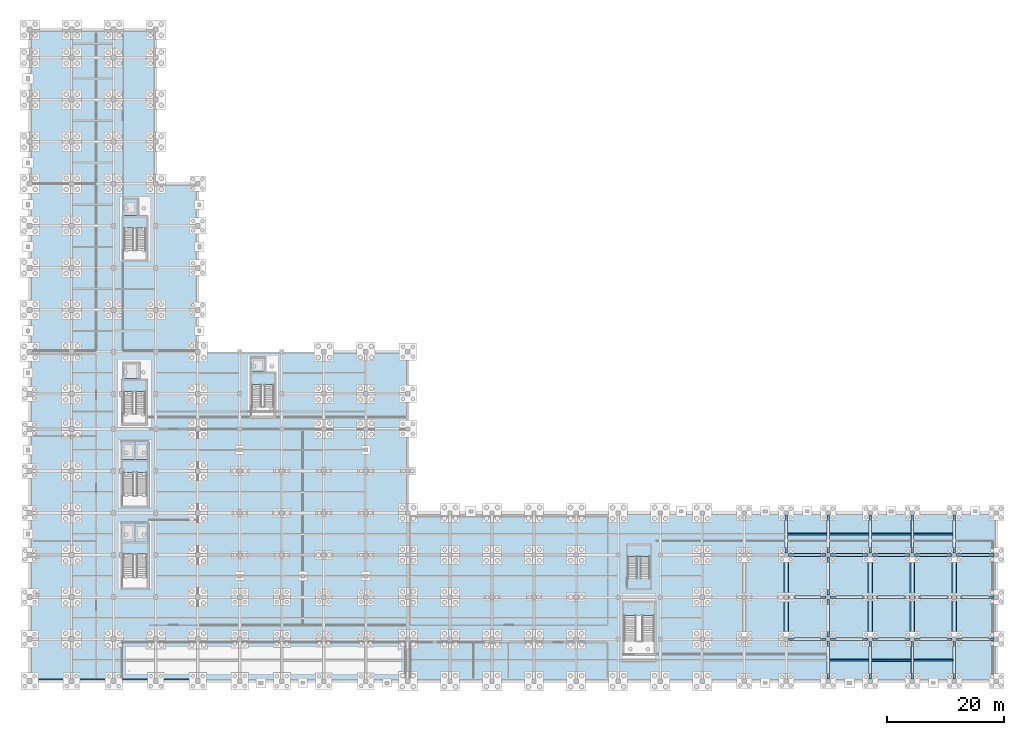
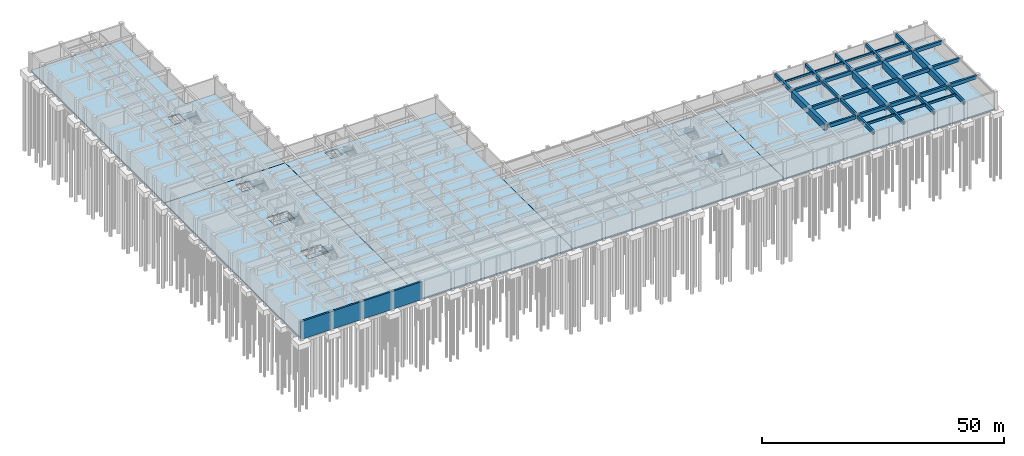
# One storey, part 14 of 28: 37 beams, 17 slabs, 1 wall, 7 elements without a shape of their own.
"""IFC4 building model written with IfcOpenShell, lengths in metres."""

from ifc_helpers import new_model, si_unit, direction, frame, frame_2d, origin, origin_2d, place, context, subcontext, project, spatial, polyline, rectangle, outline, extrude, material, layer, layer_set, material_profile, profile_set, type_object, element, aggregate, save


model = new_model("IFC4")

# Units and contexts
model_context = context("Model", 3, precision=1e-05, world=origin(), true_north=direction((0.0, 1.0)))
body_context = subcontext(model_context, "Body", "Model", "MODEL_VIEW")
ifc_project = project(units=[si_unit("LENGTHUNIT", "METRE"), si_unit("AREAUNIT", "SQUARE_METRE"), si_unit("VOLUMEUNIT", "CUBIC_METRE"), si_unit("PLANEANGLEUNIT", "RADIAN"), si_unit("MASSUNIT", "GRAM", prefix="KILO")], contexts=[model_context])

# Site, building, storey
site_placement = place(None, origin())
site = spatial("IfcSite", under=ifc_project, at=site_placement, CompositionType="ELEMENT")
building_placement = place(site_placement, origin())
building = spatial("IfcBuilding", under=site, at=building_placement, Name="Alvorim Cloister Faculty of Sciences", CompositionType="ELEMENT")
storey_placement = place(building_placement, frame((0.0, 0.0, -4.5)))
storey = spatial("IfcBuildingStorey", under=building, at=storey_placement, Name="B01", CompositionType="ELEMENT", Elevation=-4.5)

# Beams
ifc_material_1 = material(Name="Concrete C40", Category="concrete")
ifc_material_profile_1 = material_profile(ifc_material_1, rectangle(XDim=0.260009765625, YDim=0.5, at=origin_2d()), Name="RC40-JST-260x500")
ifc_profile_set_1 = profile_set([ifc_material_profile_1], Name="Concrete C40")
beam_type_1 = type_object("IfcBeamType", Name="BM-JST-RC-260x500", PredefinedType="JOIST", material=ifc_profile_set_1)
for number, where, z_axis, x_axis, name in (
    (1, (129.824951171875, 25.199951171875, 3.989990234375), (1.0, 0.0, 0.0), (0.0, 1.0, 0.0), "B01 Secondary Floor Joist BM-0584"),
    (2, (137.02490234375, 3.60009765625, 3.989990234375), (1.0, 0.0, 0.0), (0.0, 1.0, 0.0), "B01 Secondary Floor Joist BM-0585"),
    (3, (144.22509765625, 25.199951171875, 3.989990234375), (1.0, 0.0, 0.0), (0.0, 1.0, 0.0), "B01 Secondary Floor Joist BM-0588"),
    (4, (151.425048828125, 3.60009765625, 3.989990234375), (1.0, 0.0, 0.0), (0.0, 1.0, 0.0), "B01 Secondary Floor Joist BM-0589"),
):
    element("IfcBeam", number, at=place(storey_placement, frame(where, z_axis=z_axis, x_axis=x_axis)), inside=storey, type_object=beam_type_1, Name=name, PredefinedType="JOIST", context=body_context, shape_type="SweptSolid", body=[
        extrude(rectangle(XDim=0.260009765625, YDim=0.5, at=origin_2d()), origin(), (0.0, 0.0, 1.0), 6.75),
    ])
ifc_material_profile_2 = material_profile(ifc_material_1, rectangle(XDim=0.300048828125, YDim=0.550048828125, at=origin_2d()), Name="RC40-JST-300x550")
ifc_profile_set_2 = profile_set([ifc_material_profile_2], Name="Concrete C40")
beam_type_2 = type_object("IfcBeamType", Name="BM-JST-RC-300x550", PredefinedType="JOIST", material=ifc_profile_set_2)
for number, where, z_axis, x_axis, name in (
    (5, (137.02490234375, 25.199951171875, 3.965087890625), (1.0, 0.0, 0.0), (0.0, 1.0, 0.0), "B01 Secondary Floor Joist BM-0586"),
    (6, (144.22509765625, 3.60009765625, 3.965087890625), (1.0, 0.0, 0.0), (0.0, 1.0, 0.0), "B01 Secondary Floor Joist BM-0587"),
    (7, (151.425048828125, 25.199951171875, 3.965087890625), (1.0, 0.0, 0.0), (0.0, 1.0, 0.0), "B01 Secondary Floor Joist BM-0590"),
):
    element("IfcBeam", number, at=place(storey_placement, frame(where, z_axis=z_axis, x_axis=x_axis)), inside=storey, type_object=beam_type_2, Name=name, PredefinedType="JOIST", context=body_context, shape_type="SweptSolid", body=[
        extrude(rectangle(XDim=0.300048828125, YDim=0.550048828125, at=origin_2d()), origin(), (0.0, 0.0, 1.0), 6.75),
    ])
ifc_material_profile_3 = material_profile(ifc_material_1, rectangle(XDim=0.449951171875, YDim=0.85009765625, at=origin_2d()), Name="RC40-BM-450x850")
ifc_profile_set_3 = profile_set([ifc_material_profile_3], Name="Concrete C40")
beam_type_3 = type_object("IfcBeamType", Name="BM-RC-450x850", PredefinedType="BEAM", material=ifc_profile_set_3)
for number, where, z_axis, x_axis, name in (
    (8, (129.97509765625, 7.199951171875, 3.81494140625), (1.0, 0.0, 0.0), (0.0, 1.0, 0.0), "B01 Primary Beam BM-0251"),
    (9, (137.175048828125, 7.199951171875, 3.81494140625), (1.0, 0.0, 0.0), (0.0, 1.0, 0.0), "B01 Primary Beam BM-0252"),
    (10, (144.375, 7.199951171875, 3.81494140625), (1.0, 0.0, 0.0), (0.0, 1.0, 0.0), "B01 Primary Beam BM-0253"),
    (11, (151.574951171875, 7.199951171875, 3.81494140625), (1.0, 0.0, 0.0), (0.0, 1.0, 0.0), "B01 Primary Beam BM-0254"),
):
    element("IfcBeam", number, at=place(storey_placement, frame(where, z_axis=z_axis, x_axis=x_axis)), inside=storey, type_object=beam_type_3, Name=name, PredefinedType="BEAM", context=body_context, shape_type="SweptSolid", body=[
        extrude(rectangle(XDim=0.449951171875, YDim=0.85009765625, at=origin_2d()), origin(), (0.0, 0.0, 1.0), 6.449951171875),
    ])
beam_1_placement = place(storey_placement, frame((158.77490234375, 7.199951171875, 3.81494140625), z_axis=(1.0, 0.0, 0.0), x_axis=(0.0, 1.0, 0.0)))
element("IfcBeam", 12, at=beam_1_placement, inside=storey, type_object=beam_type_3, Name="B01 Primary Beam BM-0255", PredefinedType="BEAM", context=body_context, shape_type="SweptSolid", body=[
    extrude(rectangle(XDim=0.449951171875, YDim=0.85009765625, at=origin_2d()), origin(), (0.0, 0.0, 1.0), 6.4501953125),
])
for number, where, z_axis, x_axis, name in (
    (13, (129.97509765625, 14.39990234375, 3.81494140625), (1.0, 0.0, 0.0), (0.0, 1.0, 0.0), "B01 Primary Beam BM-0274"),
    (14, (137.175048828125, 14.39990234375, 3.81494140625), (1.0, 0.0, 0.0), (0.0, 1.0, 0.0), "B01 Primary Beam BM-0275"),
    (15, (144.375, 14.39990234375, 3.81494140625), (1.0, 0.0, 0.0), (0.0, 1.0, 0.0), "B01 Primary Beam BM-0276"),
    (16, (151.574951171875, 14.39990234375, 3.81494140625), (1.0, 0.0, 0.0), (0.0, 1.0, 0.0), "B01 Primary Beam BM-0277"),
):
    element("IfcBeam", number, at=place(storey_placement, frame(where, z_axis=z_axis, x_axis=x_axis)), inside=storey, type_object=beam_type_3, Name=name, PredefinedType="BEAM", context=body_context, shape_type="SweptSolid", body=[
        extrude(rectangle(XDim=0.449951171875, YDim=0.85009765625, at=origin_2d()), origin(), (0.0, 0.0, 1.0), 6.449951171875),
    ])
beam_2_placement = place(storey_placement, frame((158.77490234375, 14.39990234375, 3.81494140625), z_axis=(1.0, 0.0, 0.0), x_axis=(0.0, 1.0, 0.0)))
element("IfcBeam", 17, at=beam_2_placement, inside=storey, type_object=beam_type_3, Name="B01 Primary Beam BM-0278", PredefinedType="BEAM", context=body_context, shape_type="SweptSolid", body=[
    extrude(rectangle(XDim=0.449951171875, YDim=0.85009765625, at=origin_2d()), origin(), (0.0, 0.0, 1.0), 6.4501953125),
])
for number, where, z_axis, x_axis, name in (
    (18, (129.97509765625, 21.60009765625, 3.81494140625), (1.0, 0.0, 0.0), (0.0, 1.0, 0.0), "B01 Primary Beam BM-0295"),
    (19, (137.175048828125, 21.60009765625, 3.81494140625), (1.0, 0.0, 0.0), (0.0, 1.0, 0.0), "B01 Primary Beam BM-0296"),
    (20, (144.375, 21.60009765625, 3.81494140625), (1.0, 0.0, 0.0), (0.0, 1.0, 0.0), "B01 Primary Beam BM-0297"),
    (21, (151.574951171875, 21.60009765625, 3.81494140625), (1.0, 0.0, 0.0), (0.0, 1.0, 0.0), "B01 Primary Beam BM-0298"),
):
    element("IfcBeam", number, at=place(storey_placement, frame(where, z_axis=z_axis, x_axis=x_axis)), inside=storey, type_object=beam_type_3, Name=name, PredefinedType="BEAM", context=body_context, shape_type="SweptSolid", body=[
        extrude(rectangle(XDim=0.449951171875, YDim=0.85009765625, at=origin_2d()), origin(), (0.0, 0.0, 1.0), 6.449951171875),
    ])
beam_3_placement = place(storey_placement, frame((158.77490234375, 21.60009765625, 3.81494140625), z_axis=(1.0, 0.0, 0.0), x_axis=(0.0, 1.0, 0.0)))
element("IfcBeam", 22, at=beam_3_placement, inside=storey, type_object=beam_type_3, Name="B01 Primary Beam BM-0299", PredefinedType="BEAM", context=body_context, shape_type="SweptSolid", body=[
    extrude(rectangle(XDim=0.449951171875, YDim=0.85009765625, at=origin_2d()), origin(), (0.0, 0.0, 1.0), 6.4501953125),
])
for number, where, z_axis, x_axis, name in (
    (23, (129.60009765625, 21.97509765625, 3.81494140625), (0.0, 1.0, 0.0), (-1.0, 0.0, 0.0), "B01 Primary Girder BM-0479"),
    (24, (136.800048828125, 0.375, 3.81494140625), (0.0, 1.0, 0.0), (-1.0, 0.0, 0.0), "B01 Primary Girder BM-0480"),
    (25, (136.800048828125, 7.574951171875, 3.81494140625), (0.0, 1.0, 0.0), (-1.0, 0.0, 0.0), "B01 Primary Girder BM-0481"),
):
    element("IfcBeam", number, at=place(storey_placement, frame(where, z_axis=z_axis, x_axis=x_axis)), inside=storey, type_object=beam_type_3, Name=name, PredefinedType="BEAM", context=body_context, shape_type="SweptSolid", body=[
        extrude(rectangle(XDim=0.449951171875, YDim=0.85009765625, at=origin_2d()), origin(), (0.0, 0.0, 1.0), 6.449951171875),
    ])
beam_4_placement = place(storey_placement, frame((136.800048828125, 14.77490234375, 3.81494140625), z_axis=(0.0, 1.0, 0.0), x_axis=(-1.0, 0.0, 0.0)))
element("IfcBeam", 26, at=beam_4_placement, inside=storey, type_object=beam_type_3, Name="B01 Primary Girder BM-0482", PredefinedType="BEAM", context=body_context, shape_type="SweptSolid", body=[
    extrude(rectangle(XDim=0.449951171875, YDim=0.85009765625, at=origin_2d()), origin(), (0.0, 0.0, 1.0), 6.4501953125),
])
for number, where, z_axis, x_axis, name in (
    (27, (136.800048828125, 21.97509765625, 3.81494140625), (0.0, 1.0, 0.0), (-1.0, 0.0, 0.0), "B01 Primary Girder BM-0483"),
    (28, (144.0, 0.375, 3.81494140625), (0.0, 1.0, 0.0), (-1.0, 0.0, 0.0), "B01 Primary Girder BM-0484"),
    (29, (144.0, 21.97509765625, 3.81494140625), (0.0, 1.0, 0.0), (-1.0, 0.0, 0.0), "B01 Primary Girder BM-0485"),
    (30, (151.199951171875, 0.375, 3.81494140625), (0.0, 1.0, 0.0), (-1.0, 0.0, 0.0), "B01 Primary Girder BM-0486"),
    (31, (151.199951171875, 21.97509765625, 3.81494140625), (0.0, 1.0, 0.0), (-1.0, 0.0, 0.0), "B01 Primary Girder BM-0487"),
    (32, (158.39990234375, 0.375, 3.81494140625), (0.0, 1.0, 0.0), (-1.0, 0.0, 0.0), "B01 Primary Girder BM-0488"),
    (33, (158.39990234375, 21.97509765625, 3.81494140625), (0.0, 1.0, 0.0), (-1.0, 0.0, 0.0), "B01 Primary Girder BM-0489"),
):
    element("IfcBeam", number, at=place(storey_placement, frame(where, z_axis=z_axis, x_axis=x_axis)), inside=storey, type_object=beam_type_3, Name=name, PredefinedType="BEAM", context=body_context, shape_type="SweptSolid", body=[
        extrude(rectangle(XDim=0.449951171875, YDim=0.85009765625, at=origin_2d()), origin(), (0.0, 0.0, 1.0), 6.449951171875),
    ])
ifc_material_2 = material(Name="Concrete C45", Category="concrete")
ifc_material_profile_4 = material_profile(ifc_material_2, rectangle(XDim=0.75, YDim=1.64990234375, at=origin_2d()), Name="RC45-TG-750x1650")
ifc_profile_set_4 = profile_set([ifc_material_profile_4], Name="Concrete C45")
beam_type_4 = type_object("IfcBeamType", Name="BM-TG-750x1650", PredefinedType="USERDEFINED", material=ifc_profile_set_4)
for number, where, z_axis, x_axis, name in (
    (34, (129.60009765625, 7.580078125, 3.4150390625), (0.0, 1.0, 0.0), (-1.0, 0.0, 0.0), "B01 Lecture Hall Foundation Transfer Girder BM-0226"),
    (35, (144.0, 7.580078125, 3.4150390625), (0.0, 1.0, 0.0), (-1.0, 0.0, 0.0), "B01 Lecture Hall Foundation Transfer Girder BM-0227"),
    (36, (151.199951171875, 7.580078125, 3.4150390625), (0.0, 1.0, 0.0), (-1.0, 0.0, 0.0), "B01 Lecture Hall Foundation Transfer Girder BM-0228"),
    (37, (158.39990234375, 7.580078125, 3.4150390625), (0.0, 1.0, 0.0), (-1.0, 0.0, 0.0), "B01 Lecture Hall Foundation Transfer Girder BM-0229"),
):
    element("IfcBeam", number, at=place(storey_placement, frame(where, z_axis=z_axis, x_axis=x_axis)), inside=storey, type_object=beam_type_4, Name=name, ObjectType="TRANSFER GIRDER", PredefinedType="USERDEFINED", context=body_context, shape_type="SweptSolid", body=[
        extrude(rectangle(XDim=0.75, YDim=1.64990234375, at=origin_2d()), origin(), (0.0, 0.0, 1.0), 13.639892578125),
    ])

# Slabs
ifc_layer_1 = layer(ifc_material_1, 0.280029296875)
ifc_layer_set_1 = layer_set([ifc_layer_1], Name="Concrete C40")
slab_type_1 = type_object("IfcSlabType", Name="SL-BASE-280", PredefinedType="BASESLAB", material=ifc_layer_set_1)
slab_1_placement = place(storey_placement, frame((0.0, 0.0, -0.280029296875)))
element("IfcSlab", 38, at=slab_1_placement, inside=storey, type_object=slab_type_1, Name="B01 V1 Structural Slab 4", PredefinedType="BASESLAB", context=body_context, shape_type="SweptSolid", body=[
    extrude(outline(polyline([(115.205078125, 0.0048828125), (115.205078125, 28.794921875), (165.594970703125, 28.794921875), (165.594970703125, 0.0048828125), (115.205078125, 0.0048828125)])), origin(), (0.0, 0.0, 1.0), 0.280029296875),
])
slab_2_placement = place(storey_placement, frame((0.0, 0.0, -0.280029296875)))
element("IfcSlab", 39, at=slab_2_placement, inside=storey, type_object=slab_type_1, Name="B01 V2 Structural Slab 5", PredefinedType="BASESLAB", context=body_context, shape_type="SweptSolid", body=[
    extrude(outline(polyline([(28.794921875, 56.405029296875), (0.0048828125, 56.405029296875), (0.0048828125, 111.594970703125), (21.594970703125, 111.594970703125), (21.594970703125, 85.195068359375), (28.794921875, 85.195068359375), (28.794921875, 56.405029296875)]), holes=[polyline([(15.948974609375, 82.7509765625), (15.948974609375, 79.779052734375), (18.65087890625, 79.779052734375), (18.65087890625, 82.7509765625), (15.948974609375, 82.7509765625)])]), origin(), (0.0, 0.0, 1.0), 0.280029296875),
])
ifc_layer_2 = layer(ifc_material_1, 0.300048828125)
ifc_layer_set_2 = layer_set([ifc_layer_2], Name="Concrete C40")
slab_type_2 = type_object("IfcSlabType", Name="SL-BASE-300", PredefinedType="BASESLAB", material=ifc_layer_set_2)
slab_3_placement = place(storey_placement, frame((0.0, 0.0, -0.300048828125)))
element("IfcSlab", 40, at=slab_3_placement, inside=storey, type_object=slab_type_2, Name="B01 V5 Structural Slab 1", PredefinedType="BASESLAB", context=body_context, shape_type="SweptSolid", body=[
    extrude(outline(polyline([(0.0048828125, 0.0048828125), (0.0048828125, 56.39501953125), (28.794921875, 56.39501953125), (28.794921875, 0.0048828125), (0.0048828125, 0.0048828125)]), holes=[polyline([(18.2109375, 27.2509765625), (17.908935546875, 27.2509765625), (15.64892578125, 27.2509765625), (15.64892578125, 23.97900390625), (17.908935546875, 23.97900390625), (18.2109375, 23.97900390625), (20.470947265625, 23.97900390625), (20.470947265625, 27.2509765625), (18.2109375, 27.2509765625)]), polyline([(15.64892578125, 41.2509765625), (15.64892578125, 37.97900390625), (17.908935546875, 37.97900390625), (18.2109375, 37.97900390625), (20.470947265625, 37.97900390625), (20.470947265625, 41.2509765625), (18.2109375, 41.2509765625), (17.908935546875, 41.2509765625), (15.64892578125, 41.2509765625)]), polyline([(15.948974609375, 54.65087890625), (15.948974609375, 51.779052734375), (18.950927734375, 51.779052734375), (18.950927734375, 54.65087890625), (15.948974609375, 54.65087890625)])]), origin(), (0.0, 0.0, 1.0), 0.300048828125),
])
slab_4_placement = place(storey_placement, frame((0.0, 0.0, -0.300048828125)))
element("IfcSlab", 41, at=slab_4_placement, inside=storey, type_object=slab_type_2, Name="B01 V4 Structural Slab 2", PredefinedType="BASESLAB", context=body_context, shape_type="SweptSolid", body=[
    extrude(outline(polyline([(28.804931640625, 0.0048828125), (28.804931640625, 56.39501953125), (64.794921875, 56.39501953125), (64.794921875, 0.0048828125), (28.804931640625, 0.0048828125)]), holes=[polyline([(37.7490234375, 55.551025390625), (37.7490234375, 52.97900390625), (40.450927734375, 52.97900390625), (40.450927734375, 55.551025390625), (37.7490234375, 55.551025390625)])]), origin(), (0.0, 0.0, 1.0), 0.300048828125),
])
slab_5_placement = place(storey_placement, frame((0.0, 0.0, -0.300048828125)))
element("IfcSlab", 42, at=slab_5_placement, inside=storey, type_object=slab_type_2, Name="B01 V3 Structural Slab 3", PredefinedType="BASESLAB", context=body_context, shape_type="SweptSolid", body=[
    extrude(outline(polyline([(64.804931640625, 0.0048828125), (64.804931640625, 28.794921875), (115.195068359375, 28.794921875), (115.195068359375, 0.0048828125), (64.804931640625, 0.0048828125)])), origin(), (0.0, 0.0, 1.0), 0.300048828125),
])
slab_6_placement = place(storey_placement, frame((0.0, 0.0, -1.89990234375)))
element("IfcSlab", 43, at=slab_6_placement, inside=storey, type_object=slab_type_2, Name="Core K1 Lift Pit Base Slab", PredefinedType="BASESLAB", context=body_context, shape_type="SweptSolid", body=[
    extrude(outline(polyline([(15.64990234375, 23.9599609375), (20.469970703125, 23.9599609375), (20.469970703125, 27.25), (15.64990234375, 27.25), (15.64990234375, 23.9599609375)])), origin(), (0.0, 0.0, 1.0), 0.2998046875),
])
slab_7_placement = place(storey_placement, frame((0.0, 0.0, -1.89990234375)))
element("IfcSlab", 44, at=slab_7_placement, inside=storey, type_object=slab_type_2, Name="Core K2 Lift Pit Base Slab", PredefinedType="BASESLAB", context=body_context, shape_type="SweptSolid", body=[
    extrude(outline(polyline([(15.64990234375, 37.9599609375), (20.469970703125, 37.9599609375), (20.469970703125, 41.25), (15.64990234375, 41.25), (15.64990234375, 37.9599609375)])), origin(), (0.0, 0.0, 1.0), 0.2998046875),
])
slab_8_placement = place(storey_placement, frame((0.0, 0.0, -1.89990234375)))
element("IfcSlab", 45, at=slab_8_placement, inside=storey, type_object=slab_type_2, Name="Core K4 Lift Pit Base Slab", PredefinedType="BASESLAB", context=body_context, shape_type="SweptSolid", body=[
    extrude(outline(polyline([(37.75, 52.9599609375), (40.449951171875, 52.9599609375), (40.449951171875, 55.550048828125), (37.75, 55.550048828125), (37.75, 52.9599609375)])), origin(), (0.0, 0.0, 1.0), 0.2998046875),
])
slab_9_placement = place(storey_placement, frame((0.0, 0.0, -1.89990234375)))
element("IfcSlab", 46, at=slab_9_placement, inside=storey, type_object=slab_type_2, Name="Core K5 Lift Pit Base Slab", PredefinedType="BASESLAB", context=body_context, shape_type="SweptSolid", body=[
    extrude(outline(polyline([(15.949951171875, 79.760009765625), (18.64990234375, 79.760009765625), (18.64990234375, 82.75), (15.949951171875, 82.75), (15.949951171875, 79.760009765625)])), origin(), (0.0, 0.0, 1.0), 0.2998046875),
])
slab_10_placement = place(storey_placement, frame((0.0, 0.0, -1.89990234375)))
element("IfcSlab", 47, at=slab_10_placement, inside=storey, type_object=slab_type_2, Name="Core K3 Lift Pit Base Slab", PredefinedType="BASESLAB", context=body_context, shape_type="SweptSolid", body=[
    extrude(outline(polyline([(15.949951171875, 51.760009765625), (18.949951171875, 51.760009765625), (18.949951171875, 54.64990234375), (15.949951171875, 54.64990234375), (15.949951171875, 51.760009765625)])), origin(), (0.0, 0.0, 1.0), 0.2998046875),
])

# Stair, slab
stair_type_1 = type_object("IfcStairType", Name="STR-ST-01-1780x4500", PredefinedType="HALF_TURN_STAIR", material=ifc_material_1)
stair_1_placement = place(storey_placement, origin())
stair_1 = element("IfcStair", 48, at=stair_1_placement, inside=storey, type_object=stair_type_1, Name="B01 Enclosed Smoke-Proof Stair ST-01", PredefinedType="HALF_TURN_STAIR")
ifc_layer_3 = layer(ifc_material_1, 0.199951171875)
ifc_layer_set_3 = layer_set([ifc_layer_3], Name="Concrete C40")
slab_type_3 = type_object("IfcSlabType", Name="SL-LAND-200", PredefinedType="LANDING", material=ifc_layer_set_3)
slab_11_placement = place(storey_placement, frame((0.0, 0.0, 2.050048828125)))
slab_11 = element("IfcSlab", 49, at=slab_11_placement, type_object=slab_type_3, Name="ST-01 landing 1", PredefinedType="LANDING", context=body_context, shape_type="SweptSolid", body=[
    extrude(outline(polyline([(20.239990234375, 21.739990234375), (20.239990234375, 23.719970703125), (15.8798828125, 23.719970703125), (15.8798828125, 21.739990234375), (20.239990234375, 21.739990234375)])), origin(), (0.0, 0.0, 1.0), 0.199951171875),
])
aggregate(stair_1, [slab_11])

stair_type_2 = type_object("IfcStairType", Name="STR-ST-02-1780x4500", PredefinedType="HALF_TURN_STAIR", material=ifc_material_1)
stair_2_placement = place(storey_placement, origin())
stair_2 = element("IfcStair", 50, at=stair_2_placement, inside=storey, type_object=stair_type_2, Name="B01 Enclosed Smoke-Proof Stair ST-02", PredefinedType="HALF_TURN_STAIR")
slab_12_placement = place(storey_placement, frame((0.0, 0.0, 2.050048828125)))
slab_12 = element("IfcSlab", 51, at=slab_12_placement, type_object=slab_type_3, Name="ST-02 landing 1", PredefinedType="LANDING", context=body_context, shape_type="SweptSolid", body=[
    extrude(outline(polyline([(20.239990234375, 35.739990234375), (20.239990234375, 37.719970703125), (15.8798828125, 37.719970703125), (15.8798828125, 35.739990234375), (20.239990234375, 35.739990234375)])), origin(), (0.0, 0.0, 1.0), 0.199951171875),
])
aggregate(stair_2, [slab_12])

stair_type_3 = type_object("IfcStairType", Name="STR-ST-03-1600x4500", PredefinedType="HALF_TURN_STAIR", material=ifc_material_1)
stair_3_placement = place(storey_placement, origin())
stair_3 = element("IfcStair", 52, at=stair_3_placement, inside=storey, type_object=stair_type_3, Name="B01 Enclosed Smoke-Proof Stair ST-03", PredefinedType="HALF_TURN_STAIR")
slab_13_placement = place(storey_placement, frame((0.0, 0.0, 2.050048828125)))
slab_13 = element("IfcSlab", 53, at=slab_13_placement, type_object=slab_type_3, Name="ST-03 landing 1", PredefinedType="LANDING", context=body_context, shape_type="SweptSolid", body=[
    extrude(outline(polyline([(19.93994140625, 49.580078125), (19.93994140625, 51.52001953125), (15.97998046875, 51.52001953125), (15.97998046875, 49.580078125), (19.93994140625, 49.580078125)])), origin(), (0.0, 0.0, 1.0), 0.199951171875),
])
aggregate(stair_3, [slab_13])

stair_type_4 = type_object("IfcStairType", Name="STR-ST-04-1600x4500", PredefinedType="HALF_TURN_STAIR", material=ifc_material_1)
stair_4_placement = place(storey_placement, origin())
stair_4 = element("IfcStair", 54, at=stair_4_placement, inside=storey, type_object=stair_type_4, Name="B01 Enclosed Smoke-Proof Stair ST-04", PredefinedType="HALF_TURN_STAIR")
slab_14_placement = place(storey_placement, frame((0.0, 0.0, 2.050048828125)))
slab_14 = element("IfcSlab", 55, at=slab_14_placement, type_object=slab_type_3, Name="ST-04 landing 1", PredefinedType="LANDING", context=body_context, shape_type="SweptSolid", body=[
    extrude(outline(polyline([(41.93994140625, 50.780029296875), (41.93994140625, 52.719970703125), (37.97998046875, 52.719970703125), (37.97998046875, 50.780029296875), (41.93994140625, 50.780029296875)])), origin(), (0.0, 0.0, 1.0), 0.199951171875),
])
aggregate(stair_4, [slab_14])

stair_type_5 = type_object("IfcStairType", Name="STR-ST-05-1600x4500", PredefinedType="HALF_TURN_STAIR", material=ifc_material_1)
stair_5_placement = place(storey_placement, origin())
stair_5 = element("IfcStair", 56, at=stair_5_placement, inside=storey, type_object=stair_type_5, Name="B01 Enclosed Smoke-Proof Stair ST-05", PredefinedType="HALF_TURN_STAIR")
slab_15_placement = place(storey_placement, frame((0.0, 0.0, 2.050048828125)))
slab_15 = element("IfcSlab", 57, at=slab_15_placement, type_object=slab_type_3, Name="ST-05 landing 1", PredefinedType="LANDING", context=body_context, shape_type="SweptSolid", body=[
    extrude(outline(polyline([(20.0400390625, 77.580078125), (20.0400390625, 79.52001953125), (16.080078125, 79.52001953125), (16.080078125, 77.580078125), (20.0400390625, 77.580078125)])), origin(), (0.0, 0.0, 1.0), 0.199951171875),
])
aggregate(stair_5, [slab_15])

stair_type_6 = type_object("IfcStairType", Name="STR-ST-06-1600x4500", PredefinedType="HALF_TURN_STAIR", material=ifc_material_1)
stair_6_placement = place(storey_placement, origin())
stair_6 = element("IfcStair", 58, at=stair_6_placement, inside=storey, type_object=stair_type_6, Name="B01 Enclosed Smoke-Proof Stair ST-06", PredefinedType="HALF_TURN_STAIR")
slab_16_placement = place(storey_placement, frame((0.0, 0.0, 2.050048828125)))
slab_16 = element("IfcSlab", 59, at=slab_16_placement, type_object=slab_type_3, Name="ST-06 landing 1", PredefinedType="LANDING", context=body_context, shape_type="SweptSolid", body=[
    extrude(outline(polyline([(106.340087890625, 21.3798828125), (106.340087890625, 23.320068359375), (102.3798828125, 23.320068359375), (102.3798828125, 21.3798828125), (106.340087890625, 21.3798828125)])), origin(), (0.0, 0.0, 1.0), 0.199951171875),
])
aggregate(stair_6, [slab_16])

stair_type_7 = type_object("IfcStairType", Name="STR-ST-12-2050x4500", PredefinedType="HALF_TURN_STAIR", material=ifc_material_1)
stair_7_placement = place(storey_placement, origin())
stair_7 = element("IfcStair", 60, at=stair_7_placement, inside=storey, type_object=stair_type_7, Name="B01 Enclosed Smoke-Proof Stair ST-12", PredefinedType="HALF_TURN_STAIR")
slab_17_placement = place(storey_placement, frame((0.0, 0.0, 2.050048828125)))
slab_17 = element("IfcSlab", 61, at=slab_17_placement, type_object=slab_type_3, Name="ST-12 landing 1", PredefinedType="LANDING", context=body_context, shape_type="SweptSolid", body=[
    extrude(outline(polyline([(107.080078125, 11.22998046875), (107.080078125, 13.469970703125), (101.719970703125, 13.469970703125), (101.719970703125, 11.22998046875), (107.080078125, 11.22998046875)])), origin(), (0.0, 0.0, 1.0), 0.199951171875),
])
aggregate(stair_7, [slab_17])

# Wall
ifc_layer_4 = layer(ifc_material_1, 0.39990234375)
ifc_layer_set_4 = layer_set([ifc_layer_4], Name="Concrete C40")
wall_type = type_object("IfcWallType", Name="WL-RET-400", PredefinedType="USERDEFINED", material=ifc_layer_set_4)
wall_placement = place(storey_placement, frame((28.800048828125, 0.199951171875, -0.300048828125), z_axis=(0.0, 0.0, 1.0), x_axis=(-1.0, 0.0, 0.0)))
element("IfcWall", 62, at=wall_placement, inside=storey, type_object=wall_type, Name="B01 Perimeter Retaining Wall WL-RET-0006", ObjectType="RETAINING WALL", PredefinedType="USERDEFINED", context=body_context, shape_type="SweptSolid", body=[
    extrude(rectangle(XDim=28.800048828125, YDim=0.39990234375, at=frame_2d((14.39990234375, 0.0))), origin(), (0.0, 0.0, 1.0), 4.5400390625),
])

save(model, "model.ifc")
